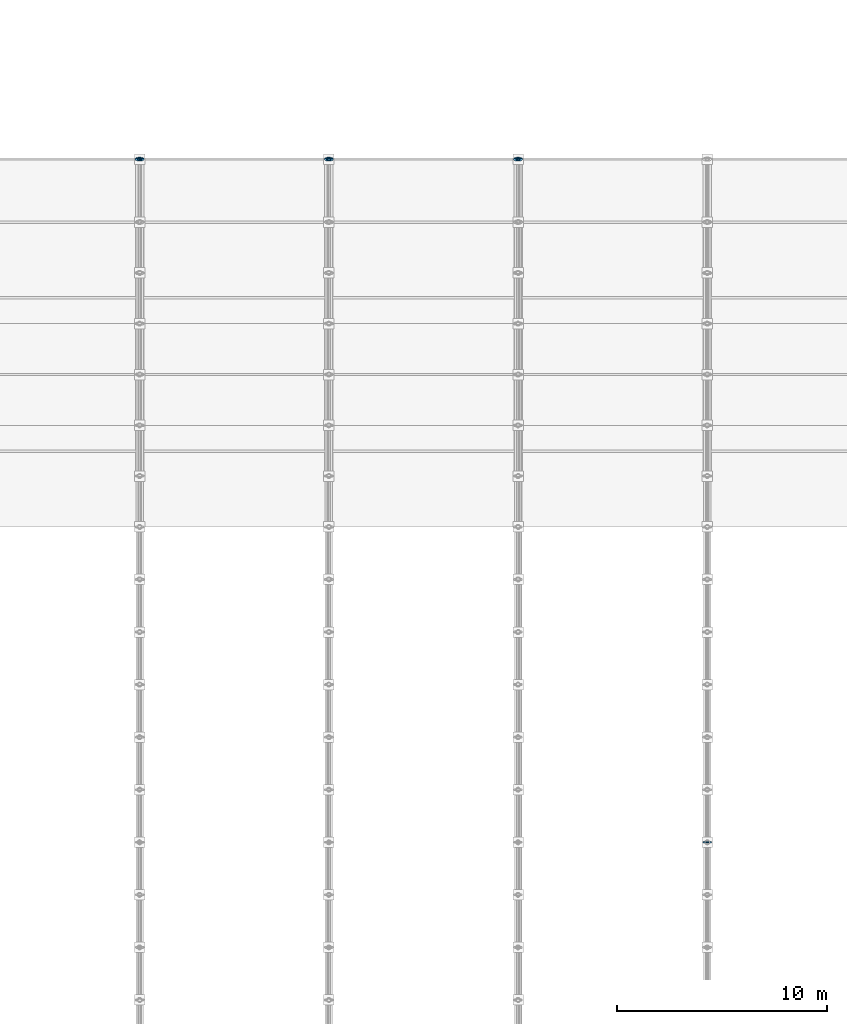
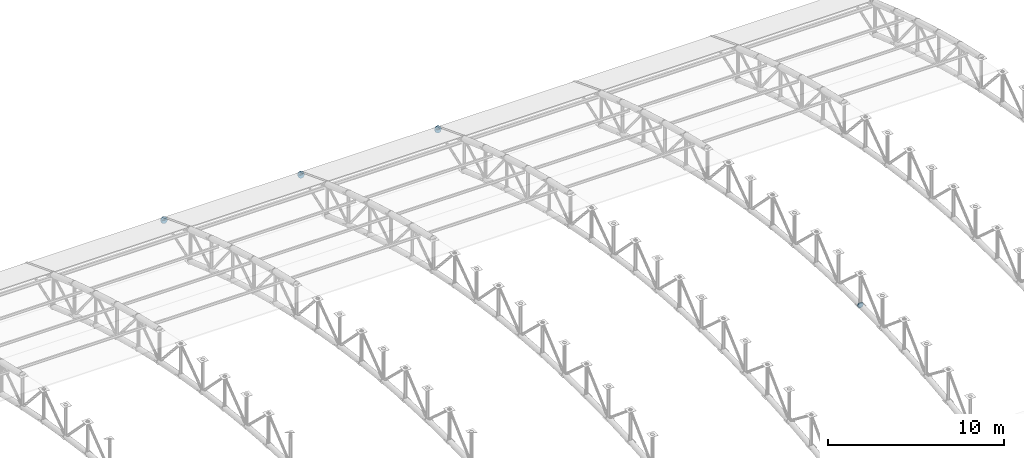
# One storey, part 162 of 195: 7 discrete accessories.
"""IFC4 building model written with IfcOpenShell, lengths in metres."""

from ifc_helpers import new_model, si_unit, direction, frame, origin, origin_2d, place, context, subcontext, project, spatial, circle, extrude, material, element, save


model = new_model("IFC4")

# Units and contexts
model_context = context("Model", 3, precision=1e-05, world=origin(), true_north=direction((0.0, 1.0)))
body_context = subcontext(model_context, "Body", "Model", "MODEL_VIEW")
ifc_project = project(units=[si_unit("LENGTHUNIT", "METRE"), si_unit("AREAUNIT", "SQUARE_METRE"), si_unit("VOLUMEUNIT", "CUBIC_METRE"), si_unit("PLANEANGLEUNIT", "RADIAN"), si_unit("MASSUNIT", "GRAM", prefix="KILO")], contexts=[model_context])

# Site, building, storey
site_placement = place(None, origin())
site = spatial("IfcSite", under=ifc_project, at=site_placement, CompositionType="ELEMENT")
building_placement = place(site_placement, origin())
building = spatial("IfcBuilding", under=site, at=building_placement, Name="Marlcrest Central Station", CompositionType="ELEMENT")
storey_placement = place(building_placement, frame((0.0, 0.0, 9.800048828125)))
storey = spatial("IfcBuildingStorey", under=building, at=storey_placement, Name="L02", CompositionType="ELEMENT", Elevation=9.800048828125)

# Discrete accessories
ifc_material = material(Name="Steel S355", Category="steel")
discrete_accessory_1_placement = place(storey_placement, frame((171.0, 98.4765625, 0.454833984375), z_axis=(0.0, 0.933324071143, -0.359035065453), x_axis=(-1.0, 0.0, 0.0)))
element("IfcDiscreteAccessory", 1, at=discrete_accessory_1_placement, inside=storey, material=ifc_material, Name="endcap-mem-AC-01-L02-01536-e", ObjectType="END_CAP_PLATE", PredefinedType="BRACKET", context=body_context, shape_type="SweptSolid", body=[
    extrude(circle(Radius=0.211181640625, at=origin_2d()), origin(), (0.0, 0.0, 1.0), 0.0400390625),
])
discrete_accessory_2_placement = place(storey_placement, frame((171.0, 98.476318359375, 0.4375), z_axis=(0.0, 0.944260188635, 0.329200085296), x_axis=(-1.0, 0.0, 0.0)))
element("IfcDiscreteAccessory", 2, at=discrete_accessory_2_placement, inside=storey, material=ifc_material, Name="endcap-mem-AD-01-L02-01538-e", ObjectType="END_CAP_PLATE", PredefinedType="BRACKET", context=body_context, shape_type="SweptSolid", body=[
    extrude(circle(Radius=0.092041015625, at=origin_2d()), origin(), (0.0, 0.0, 1.0), 0.0400390625),
])
discrete_accessory_3_placement = place(storey_placement, frame((180.0, 98.4765625, 0.454833984375), z_axis=(0.0, 0.933324071143, -0.359035065453), x_axis=(-1.0, 0.0, 0.0)))
element("IfcDiscreteAccessory", 3, at=discrete_accessory_3_placement, inside=storey, material=ifc_material, Name="endcap-mem-AC-01-L02-01652-e", ObjectType="END_CAP_PLATE", PredefinedType="BRACKET", context=body_context, shape_type="SweptSolid", body=[
    extrude(circle(Radius=0.211181640625, at=origin_2d()), origin(), (0.0, 0.0, 1.0), 0.0400390625),
])
discrete_accessory_4_placement = place(storey_placement, frame((180.0, 98.476318359375, 0.4375), z_axis=(0.0, 0.944260188635, 0.329200085296), x_axis=(-1.0, 0.0, 0.0)))
element("IfcDiscreteAccessory", 4, at=discrete_accessory_4_placement, inside=storey, material=ifc_material, Name="endcap-mem-AD-01-L02-01654-e", ObjectType="END_CAP_PLATE", PredefinedType="BRACKET", context=body_context, shape_type="SweptSolid", body=[
    extrude(circle(Radius=0.092041015625, at=origin_2d()), origin(), (0.0, 0.0, 1.0), 0.0400390625),
])
discrete_accessory_5_placement = place(storey_placement, frame((189.0, 98.4765625, 0.454833984375), z_axis=(0.0, 0.933324071143, -0.359035065453), x_axis=(-1.0, 0.0, 0.0)))
element("IfcDiscreteAccessory", 5, at=discrete_accessory_5_placement, inside=storey, material=ifc_material, Name="endcap-mem-AC-01-L02-01768-e", ObjectType="END_CAP_PLATE", PredefinedType="BRACKET", context=body_context, shape_type="SweptSolid", body=[
    extrude(circle(Radius=0.211181640625, at=origin_2d()), origin(), (0.0, 0.0, 1.0), 0.0400390625),
])
discrete_accessory_6_placement = place(storey_placement, frame((189.0, 98.476318359375, 0.4375), z_axis=(0.0, 0.944260188635, 0.329200085296), x_axis=(-1.0, 0.0, 0.0)))
element("IfcDiscreteAccessory", 6, at=discrete_accessory_6_placement, inside=storey, material=ifc_material, Name="endcap-mem-AD-01-L02-01770-e", ObjectType="END_CAP_PLATE", PredefinedType="BRACKET", context=body_context, shape_type="SweptSolid", body=[
    extrude(circle(Radius=0.092041015625, at=origin_2d()), origin(), (0.0, 0.0, 1.0), 0.0400390625),
])
discrete_accessory_7_placement = place(storey_placement, frame((198.0, 65.97509765625, 4.799560546875), z_axis=(0.0, 0.999879472592, 0.01552547228), x_axis=(-1.0, 0.0, 0.0)))
element("IfcDiscreteAccessory", 7, at=discrete_accessory_7_placement, inside=storey, material=ifc_material, Name="endcap-mem-AC-02-L02-01833-e", ObjectType="END_CAP_PLATE", PredefinedType="BRACKET", context=body_context, shape_type="SweptSolid", body=[
    extrude(circle(Radius=0.185791015625, at=origin_2d()), origin(), (0.0, 0.0, 1.0), 0.0400390625),
])

save(model, "model.ifc")
